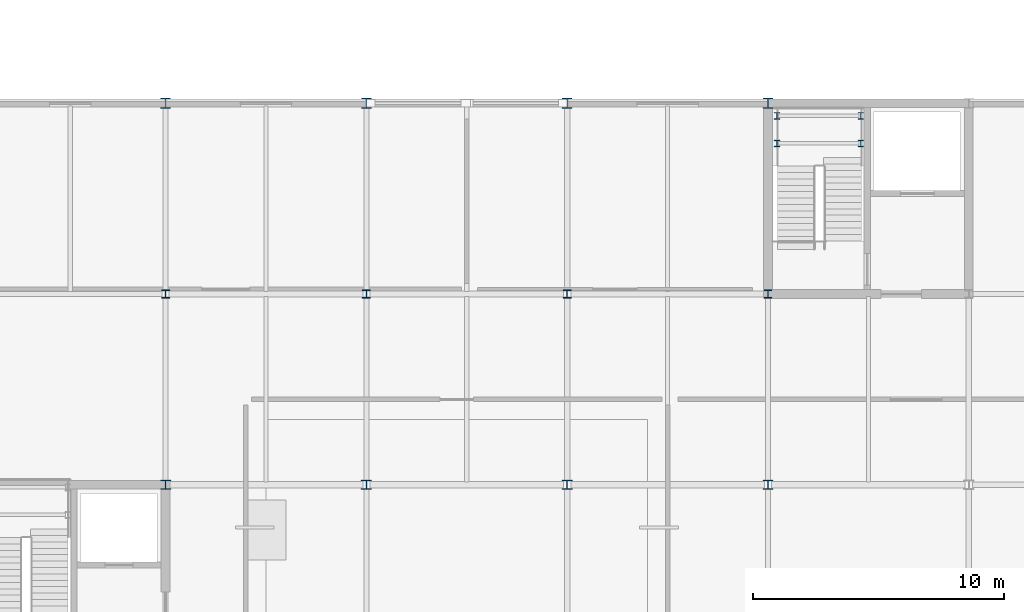
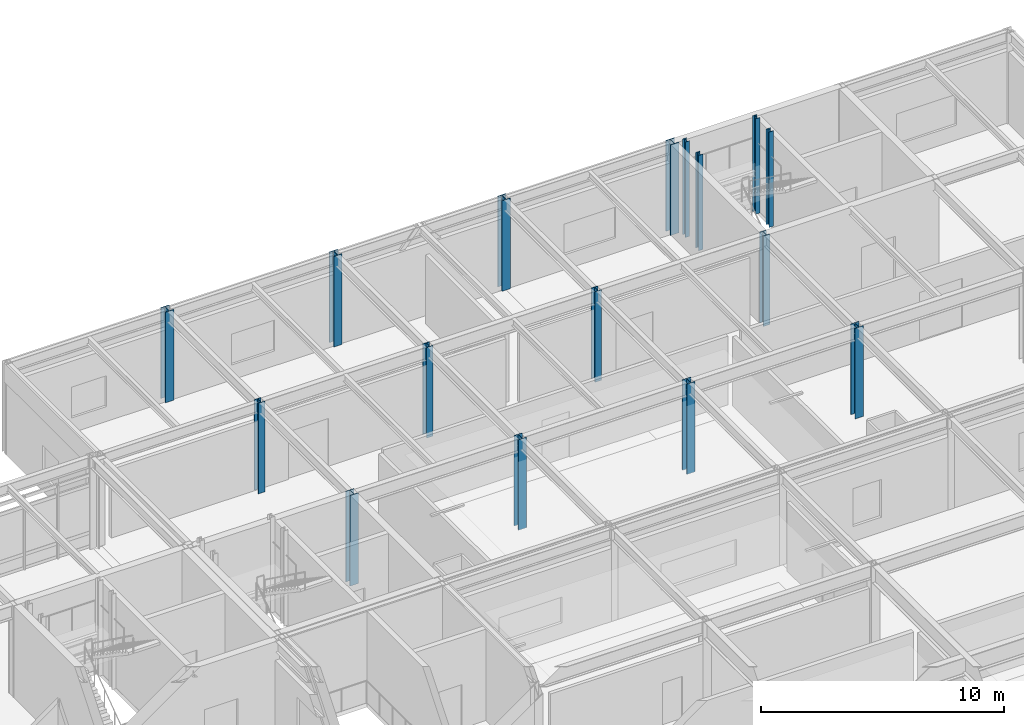
# One storey, part 17 of 104: 16 columns.
"""IFC4 building model written with IfcOpenShell, lengths in metres."""

import ifcopenshell
import ifcopenshell.guid

model = None  # the IFC model being written
_history = None  # IfcOwnerHistory: only IFC2X3 demands one
_inside = {}  # id of a spatial element -> (the spatial element, [elements in it])
_under = {}  # id of a project, library or spatial element -> (it, [spatial elements below it])
_declared = {}  # id of a project -> (the project, [libraries it declares])
_typed = {}  # id of a type object -> (the type object, [elements of that type])
_made_of = {}  # id of a material, layer set ... -> (it, [elements and type objects made of it])


def new_model(schema):
    """Start an empty IFC model of exactly this schema.

    Asked for "IFC4X3", IfcOpenShell would pick the latest addendum, in which some entities
    have other attributes; the version numbers below select the first issue.
    IFC2X3 requires an IfcOwnerHistory on every rooted entity: one is made here for all.
    """
    global model, _history
    if schema == "IFC4X3":
        model = ifcopenshell.file(schema_version=(4, 3, 0, 0))
    else:
        model = ifcopenshell.file(schema=schema)
    _inside.clear()
    _under.clear()
    _declared.clear()
    _typed.clear()
    _made_of.clear()
    _history = None
    if model.schema == "IFC2X3":
        org = make("IfcOrganization", Name="unknown")
        user = make(
            "IfcPersonAndOrganization",
            ThePerson=make("IfcPerson", FamilyName="unknown"),
            TheOrganization=org,
        )
        app = make(
            "IfcApplication",
            ApplicationDeveloper=org,
            Version="unknown",
            ApplicationFullName="unknown",
            ApplicationIdentifier="unknown",
        )
        _history = make(
            "IfcOwnerHistory",
            OwningUser=user,
            OwningApplication=app,
            ChangeAction="ADDED",
            CreationDate=0,
        )
    return model


def make(cls, **values):
    """One entity of the class cls with the attributes given. An attribute that is None is left unset."""
    return model.create_entity(
        cls, **{name: value for name, value in values.items() if value is not None}
    )


def rooted(cls, **values):
    """An entity with a GlobalId (a new one), such as an element, a storey or a relation."""
    return make(cls, GlobalId=ifcopenshell.guid.new(), OwnerHistory=_history, **values)


def si_unit(unit_type, name, prefix=None):
    """IfcSIUnit, for example si_unit("LENGTHUNIT", "METRE", prefix="MILLI")."""
    return make("IfcSIUnit", UnitType=unit_type, Prefix=prefix, Name=name)


def assignment(units):
    """IfcUnitAssignment: the units of a project."""
    return None if units is None else make("IfcUnitAssignment", Units=units)


def point(xyz):
    """IfcCartesianPoint."""
    return None if xyz is None else make("IfcCartesianPoint", Coordinates=xyz)


def direction(xyz):
    """IfcDirection."""
    return None if xyz is None else make("IfcDirection", DirectionRatios=xyz)


def frame(location, z_axis=None, x_axis=None):
    """IfcAxis2Placement3D, a coordinate frame: its origin and axes. An axis left out is left unset."""
    return make(
        "IfcAxis2Placement3D",
        Location=point(location),
        Axis=direction(z_axis),
        RefDirection=direction(x_axis),
    )


def frame_2d(location, x_axis=None):
    """IfcAxis2Placement2D, a coordinate frame in the plane: its origin and x axis."""
    return make(
        "IfcAxis2Placement2D", Location=point(location), RefDirection=direction(x_axis)
    )


def origin():
    """The frame at (0, 0, 0) with its axes left unset."""
    return frame((0.0, 0.0, 0.0))


def origin_2d():
    """The frame at (0, 0) in the plane with its x axis left unset."""
    return frame_2d((0.0, 0.0))


def place(relative_to, where):
    """IfcLocalPlacement: puts the frame where relative to a parent placement (None: the world)."""
    return make(
        "IfcLocalPlacement", PlacementRelTo=relative_to, RelativePlacement=where
    )


def context(
    kind, dimensions, precision=None, world=None, true_north=None, identifier=None
):
    """IfcGeometricRepresentationContext, for example the 3D "Model" context."""
    return make(
        "IfcGeometricRepresentationContext",
        ContextIdentifier=identifier,
        ContextType=kind,
        CoordinateSpaceDimension=dimensions,
        Precision=precision,
        WorldCoordinateSystem=world,
        TrueNorth=true_north,
    )


def subcontext(parent, identifier, kind, view, scale=None):
    """IfcGeometricRepresentationSubContext, for example "Body" below "Model"."""
    return make(
        "IfcGeometricRepresentationSubContext",
        ContextIdentifier=identifier,
        ContextType=kind,
        ParentContext=parent,
        TargetScale=scale,
        TargetView=view,
    )


def project(units=None, contexts=None):
    """IfcProject with its units and contexts."""
    return rooted(
        "IfcProject",
        Name="project",
        RepresentationContexts=contexts,
        UnitsInContext=assignment(units),
    )


def spatial(cls, under=None, at=None, **own):
    """A site, building, storey or space (cls), placed at a placement, below another one or the project."""
    s = rooted(cls, ObjectPlacement=at, **own)
    if under is not None:
        _under.setdefault(under.id(), (under, []))[1].append(s)
    return s


def profile(cls, at=None, kind="AREA", **sizes):
    """A parametric profile (cls). Its sizes go by their IFC names, for example OverallWidth=200.0."""
    return make(cls, ProfileType=kind, Position=at, **sizes)


def i_section(**sizes):
    """IfcIShapeProfileDef."""
    return profile("IfcIShapeProfileDef", **sizes)


def extrude(swept, where, along, depth):
    """IfcExtrudedAreaSolid: the profile swept, set in the frame where, extruded along a direction by depth."""
    return make(
        "IfcExtrudedAreaSolid",
        SweptArea=swept,
        Position=where,
        ExtrudedDirection=direction(along),
        Depth=depth,
    )


def shape(context_of_items, identifier, shape_type, items):
    """IfcShapeRepresentation: the items that make up one representation, for example the "Body"."""
    return make(
        "IfcShapeRepresentation",
        ContextOfItems=context_of_items,
        RepresentationIdentifier=identifier,
        RepresentationType=shape_type,
        Items=items,
    )


def material(Name=None, Category=None):
    """IfcMaterial."""
    return make("IfcMaterial", Name=Name, Category=Category)


def material_profile(
    of_material, cross_section, Name=None, Category=None, Priority=None
):
    """IfcMaterialProfile: a cross section and its material."""
    return make(
        "IfcMaterialProfile",
        Name=Name,
        Material=of_material,
        Profile=cross_section,
        Priority=Priority,
        Category=Category,
    )


def profile_set(profiles, Name=None, composite=None):
    """IfcMaterialProfileSet."""
    return make(
        "IfcMaterialProfileSet",
        Name=Name,
        MaterialProfiles=profiles,
        CompositeProfile=composite,
    )


def made_of(thing, what):
    """Note that an element or type object is made of a material, layer set ...; save() writes the relation."""
    if what is not None:
        _made_of.setdefault(what.id(), (what, []))[1].append(thing)
    return thing


def type_object(cls, material=None, **own):
    """A type object (cls), such as IfcWallType, which elements share."""
    return made_of(rooted(cls, **own), material)


def element(
    cls,
    number,
    at=None,
    inside=None,
    cuts=None,
    type_object=None,
    material=None,
    context=None,
    identifier="Body",
    shape_type=None,
    held_by="IfcProductDefinitionShape",
    body=None,
    shapes=None,
    **own,
):
    """One element of the class cls, such as IfcWall. Its Tag is "e" and its number.

    at: its placement. inside: the storey or other place that contains it. cuts: it is an
    opening in that element (IfcRelVoidsElement). A single representation is given by context,
    identifier, shape_type and body (its items); several are given by shapes. held_by: the class
    of the entity that holds the representations. save() writes the other relations.
    """
    e = rooted(cls, Tag="e%d" % number, ObjectPlacement=at, **own)
    if body is not None:
        shapes = [shape(context, identifier, shape_type, body)]
    if shapes is not None:
        e.Representation = make(held_by, Representations=shapes)
    if inside is not None:
        _inside.setdefault(inside.id(), (inside, []))[1].append(e)
    if cuts is not None:
        rooted(
            "IfcRelVoidsElement", RelatingBuildingElement=cuts, RelatedOpeningElement=e
        )
    if type_object is not None:
        _typed.setdefault(type_object.id(), (type_object, []))[1].append(e)
    return made_of(e, material)


def aggregate(whole, parts):
    """IfcRelAggregates: a whole, such as a stair, and the parts it consists of."""
    return rooted("IfcRelAggregates", RelatingObject=whole, RelatedObjects=parts)


def save(model, path):
    """Write the relations noted so far, then the file.

    IfcRelAggregates (storeys below a building ...), IfcRelContainedInSpatialStructure (elements
    in a storey), IfcRelDefinesByType, IfcRelAssociatesMaterial and IfcRelDeclares: one each for
    every whole, place, type object, material and project.
    """
    for whole, parts in _under.values():
        aggregate(whole, parts)
    for where, things in _inside.values():
        rooted(
            "IfcRelContainedInSpatialStructure",
            RelatedElements=things,
            RelatingStructure=where,
        )
    for kind, things in _typed.values():
        rooted("IfcRelDefinesByType", RelatedObjects=things, RelatingType=kind)
    for what, things in _made_of.values():
        rooted("IfcRelAssociatesMaterial", RelatedObjects=things, RelatingMaterial=what)
    for by, libraries in _declared.values():
        rooted("IfcRelDeclares", RelatingContext=by, RelatedDefinitions=libraries)
    model.write(path)


model = new_model("IFC4")

# Units and contexts
model_context = context("Model", 3, precision=1e-05, world=origin(), true_north=direction((0.0, 1.0)))
body_context = subcontext(model_context, "Body", "Model", "MODEL_VIEW")
ifc_project = project(units=[si_unit("LENGTHUNIT", "METRE"), si_unit("AREAUNIT", "SQUARE_METRE"), si_unit("VOLUMEUNIT", "CUBIC_METRE"), si_unit("PLANEANGLEUNIT", "RADIAN"), si_unit("MASSUNIT", "GRAM", prefix="KILO")], contexts=[model_context])

# Site, building, storey
site_placement = place(None, origin())
site = spatial("IfcSite", under=ifc_project, at=site_placement, CompositionType="ELEMENT")
building_placement = place(site_placement, origin())
building = spatial("IfcBuilding", under=site, at=building_placement, Name="Zulena Civic Courthouse", CompositionType="ELEMENT")
storey_placement = place(building_placement, frame((0.0, 0.0, 15.60009765625)))
storey = spatial("IfcBuildingStorey", under=building, at=storey_placement, Name="L03", CompositionType="ELEMENT", Elevation=15.60009765625)

# Columns
ifc_material = material(Name="Steel ASTM A992 Grade 50", Category="steel")
ifc_material_profile_1 = material_profile(ifc_material, i_section(OverallWidth=0.2041015625, OverallDepth=0.257080078125, WebThickness=0.0087890625, FlangeThickness=0.015625, FilletRadius=0.0126953125, at=origin_2d()), Name="W10X45")
ifc_profile_set_1 = profile_set([ifc_material_profile_1], Name="Steel ASTM A992 Grade 50")
column_type_1 = type_object("IfcColumnType", Name="Col_W10X45", PredefinedType="COLUMN", material=ifc_profile_set_1)
for number, where, z_axis, x_axis, name in (
    (1, (156.360107421875, 51.60009765625, 0.0), (0.0, 0.0, 1.0), (1.0, 0.0, 0.0), "col:lnd:K3B:L03:0:0"),
    (2, (159.699951171875, 51.60009765625, 0.0), (0.0, 0.0, 1.0), (1.0, 0.0, 0.0), "col:lnd:K3B:L03:0:1"),
    (3, (156.360107421875, 52.699951171875, 0.0), (0.0, 0.0, 1.0), (1.0, 0.0, 0.0), "col:lnd:K3B:L03:1:0"),
    (4, (159.699951171875, 52.699951171875, 0.0), (0.0, 0.0, 1.0), (1.0, 0.0, 0.0), "col:lnd:K3B:L03:1:1"),
):
    element("IfcColumn", number, at=place(storey_placement, frame(where, z_axis=z_axis, x_axis=x_axis)), inside=storey, type_object=column_type_1, Name=name, PredefinedType="COLUMN", context=body_context, shape_type="SweptSolid", body=[
        extrude(i_section(OverallWidth=0.2041015625, OverallDepth=0.257080078125, WebThickness=0.0087890625, FlangeThickness=0.015625, FilletRadius=0.0126953125, at=origin_2d()), origin(), (0.0, 0.0, 1.0), 4.794921875),
    ])
ifc_material_profile_2 = material_profile(ifc_material, i_section(OverallWidth=0.31298828125, OverallDepth=0.3330078125, WebThickness=0.01806640625, FlangeThickness=0.0283203125, FilletRadius=0.01513671875, at=origin_2d()), Name="W12X120")
ifc_profile_set_2 = profile_set([ifc_material_profile_2], Name="Steel ASTM A992 Grade 50")
column_type_2 = type_object("IfcColumnType", Name="Col_W12X120", PredefinedType="COLUMN", material=ifc_profile_set_2)
for number, where, z_axis, x_axis, name in (
    (5, (132.0, 45.60009765625, 0.0), (0.0, 0.0, 1.0), (1.0, 0.0, 0.0), "col:V3:L03:132.0:45.6"),
    (6, (140.0, 45.60009765625, 0.0), (0.0, 0.0, 1.0), (1.0, 0.0, 0.0), "col:V3:L03:140.0:45.6"),
    (7, (148.0, 45.60009765625, 0.0), (0.0, 0.0, 1.0), (1.0, 0.0, 0.0), "col:V3:L03:148.0:45.6"),
    (8, (156.0, 45.60009765625, 0.0), (0.0, 0.0, 1.0), (1.0, 0.0, 0.0), "col:V3:L03:156.0:45.6"),
):
    element("IfcColumn", number, at=place(storey_placement, frame(where, z_axis=z_axis, x_axis=x_axis)), inside=storey, type_object=column_type_2, Name=name, PredefinedType="COLUMN", context=body_context, shape_type="SweptSolid", body=[
        extrude(i_section(OverallWidth=0.31298828125, OverallDepth=0.3330078125, WebThickness=0.01806640625, FlangeThickness=0.0283203125, FilletRadius=0.01513671875, at=origin_2d()), origin(), (0.0, 0.0, 1.0), 4.544921875),
    ])
ifc_material_profile_3 = material_profile(ifc_material, i_section(OverallWidth=0.39404296875, OverallDepth=0.3759765625, WebThickness=0.017333984375, FlangeThickness=0.027587890625, FilletRadius=0.01513671875, at=origin_2d()), Name="W14X145")
ifc_profile_set_3 = profile_set([ifc_material_profile_3], Name="Steel ASTM A992 Grade 50")
column_type_3 = type_object("IfcColumnType", Name="Col_W14X145", PredefinedType="COLUMN", material=ifc_profile_set_3)
for number, where, z_axis, x_axis, name in (
    (9, (132.0, 38.0, 0.0), (0.0, 0.0, 1.0), (1.0, 0.0, 0.0), "col:V3:L03:132.0:38.0"),
    (10, (140.0, 38.0, 0.0), (0.0, 0.0, 1.0), (1.0, 0.0, 0.0), "col:V3:L03:140.0:38.0"),
    (11, (148.0, 38.0, 0.0), (0.0, 0.0, 1.0), (1.0, 0.0, 0.0), "col:V3:L03:148.0:38.0"),
    (12, (156.0, 38.0, 0.0), (0.0, 0.0, 1.0), (1.0, 0.0, 0.0), "col:V3:L03:156.0:38.0"),
):
    element("IfcColumn", number, at=place(storey_placement, frame(where, z_axis=z_axis, x_axis=x_axis)), inside=storey, type_object=column_type_3, Name=name, PredefinedType="COLUMN", context=body_context, shape_type="SweptSolid", body=[
        extrude(i_section(OverallWidth=0.39404296875, OverallDepth=0.3759765625, WebThickness=0.017333984375, FlangeThickness=0.027587890625, FilletRadius=0.01513671875, at=origin_2d()), origin(), (0.0, 0.0, 1.0), 4.544921875),
    ])
ifc_material_profile_4 = material_profile(ifc_material, i_section(OverallWidth=0.40087890625, OverallDepth=0.39892578125, WebThickness=0.02490234375, FlangeThickness=0.03955078125, FilletRadius=0.01513671875, at=origin_2d()), Name="W14X211")
ifc_profile_set_4 = profile_set([ifc_material_profile_4], Name="Steel ASTM A992 Grade 50")
column_type_4 = type_object("IfcColumnType", Name="Col_W14X211", PredefinedType="COLUMN", material=ifc_profile_set_4)
for number, where, z_axis, x_axis, name in (
    (13, (132.0, 53.199951171875, 0.0), (0.0, 0.0, 1.0), (1.0, 0.0, 0.0), "col:V3:L03:132.0:53.2"),
    (14, (140.0, 53.199951171875, 0.0), (0.0, 0.0, 1.0), (1.0, 0.0, 0.0), "col:V3:L03:140.0:53.2"),
    (15, (148.0, 53.199951171875, 0.0), (0.0, 0.0, 1.0), (1.0, 0.0, 0.0), "col:V3:L03:148.0:53.2"),
    (16, (156.0, 53.199951171875, 0.0), (0.0, 0.0, 1.0), (1.0, 0.0, 0.0), "col:V3:L03:156.0:53.2"),
):
    element("IfcColumn", number, at=place(storey_placement, frame(where, z_axis=z_axis, x_axis=x_axis)), inside=storey, type_object=column_type_4, Name=name, PredefinedType="COLUMN", context=body_context, shape_type="SweptSolid", body=[
        extrude(i_section(OverallWidth=0.40087890625, OverallDepth=0.39892578125, WebThickness=0.02490234375, FlangeThickness=0.03955078125, FilletRadius=0.01513671875, at=origin_2d()), origin(), (0.0, 0.0, 1.0), 4.544921875),
    ])

save(model, "model.ifc")
